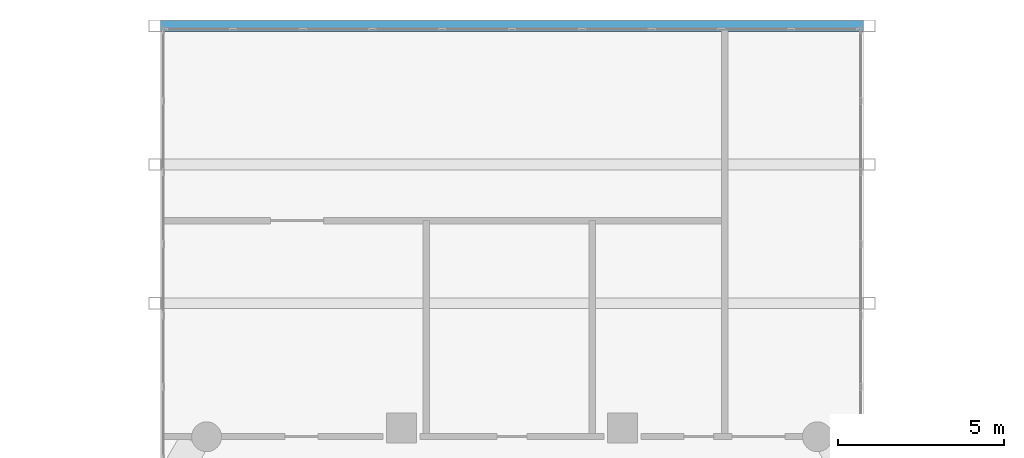
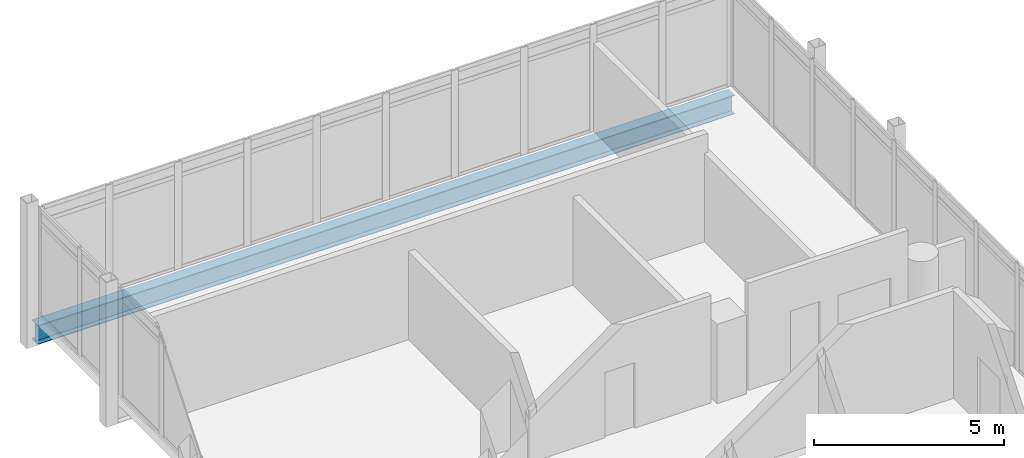
# One storey, part 16 of 25: 1 beam.
"""IFC4 building model written with IfcOpenShell, lengths in metres."""

from ifc_helpers import new_model, si_unit, direction, frame, origin, origin_2d, place, context, subcontext, project, spatial, i_section, extrude, material, material_profile, profile_set, type_object, element, save


model = new_model("IFC4")

# Units and contexts
model_context = context("Model", 3, precision=1e-05, world=origin(), true_north=direction((0.0, 1.0)))
body_context = subcontext(model_context, "Body", "Model", "MODEL_VIEW")
ifc_project = project(units=[si_unit("LENGTHUNIT", "METRE"), si_unit("AREAUNIT", "SQUARE_METRE"), si_unit("VOLUMEUNIT", "CUBIC_METRE"), si_unit("PLANEANGLEUNIT", "RADIAN"), si_unit("MASSUNIT", "GRAM", prefix="KILO")], contexts=[model_context])

# Site, building, storey
site_placement = place(None, origin())
site = spatial("IfcSite", under=ifc_project, at=site_placement, CompositionType="ELEMENT")
building_placement = place(site_placement, origin())
building = spatial("IfcBuilding", under=site, at=building_placement, Name="Ostrander Bayou Hotel Tower", CompositionType="ELEMENT")
storey_placement = place(building_placement, frame((0.0, 0.0, 233.25)))
storey = spatial("IfcBuildingStorey", under=building, at=storey_placement, Name="L58", CompositionType="ELEMENT", Elevation=233.25)

# Beam
ifc_material = material(Name="Steel ASTM A992", Category="steel")
ifc_material_profile = material_profile(ifc_material, i_section(OverallWidth=0.32373046875, OverallDepth=0.611083984375, WebThickness=0.0126953125, FlangeThickness=0.01904296875, at=origin_2d()))
ifc_profile_set = profile_set([ifc_material_profile], Name="Steel ASTM A992")
beam_type = type_object("IfcBeamType", Name="TF2 bar floor beam W24x104", PredefinedType="BEAM", material=ifc_profile_set)
beam_placement = place(storey_placement, frame((-10.587158203125, 28.966552734375, -0.605712890625), z_axis=(1.0, 0.0, 0.0), x_axis=(0.0, 1.0, 0.0)))
element("IfcBeam", 1, at=beam_placement, inside=storey, type_object=beam_type, Name="TF2 SB5W L4-1", PredefinedType="BEAM", context=body_context, shape_type="SweptSolid", body=[
    extrude(i_section(OverallWidth=0.32373046875, OverallDepth=0.611083984375, WebThickness=0.0126953125, FlangeThickness=0.01904296875, at=origin_2d()), origin(), (0.0, 0.0, 1.0), 21.17431640625),
])

save(model, "model.ifc")
